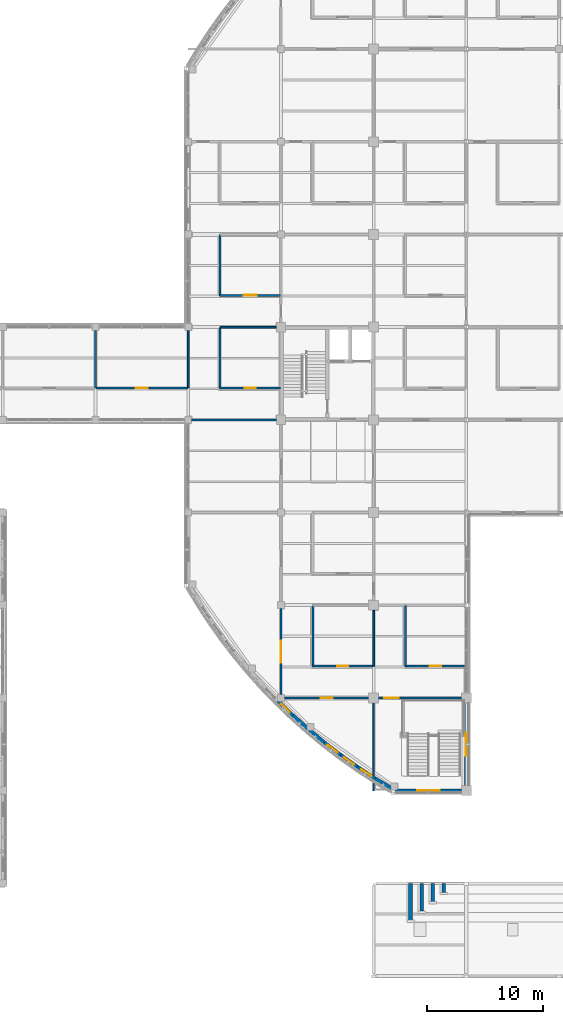
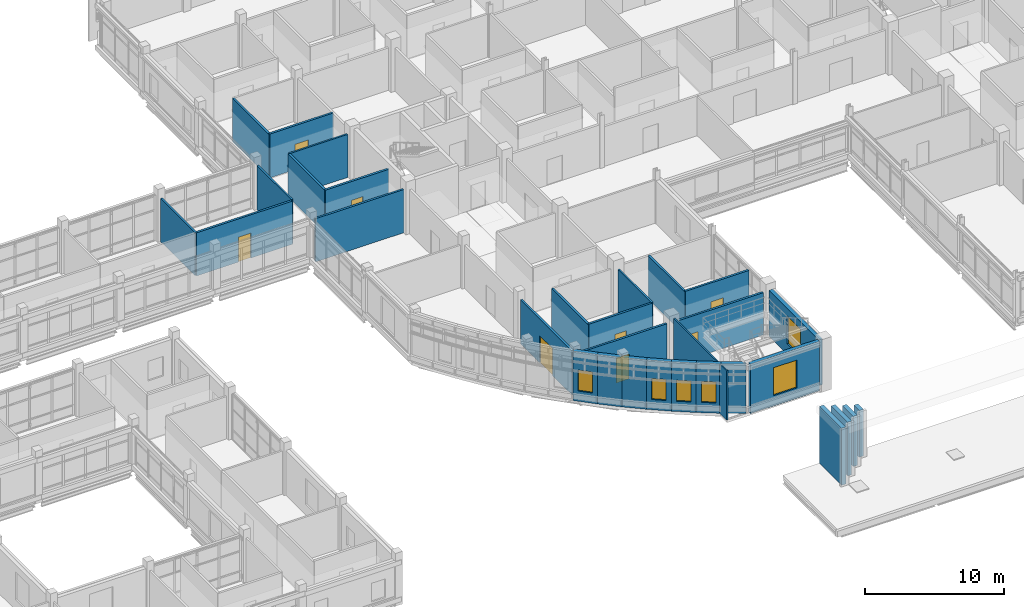
# One storey, part 80 of 121: 31 walls, 8 doors, 6 windows, 14 openings.
"""IFC4 building model written with IfcOpenShell, lengths in metres."""

from ifc_helpers import new_model, si_unit, derived_unit, direction, frame, frame_2d, origin, place, context, subcontext, project, spatial, rectangle, extrude, material, layer, layer_set, type_object, element, fill, save


model = new_model("IFC4")

# Units and contexts
model_context = context("Model", 3, precision=1e-05, world=origin(), true_north=direction((0.0, 1.0)))
body_context = subcontext(model_context, "Body", "Model", "MODEL_VIEW")
ifc_project = project(units=[si_unit("LENGTHUNIT", "METRE"), si_unit("AREAUNIT", "SQUARE_METRE"), si_unit("VOLUMEUNIT", "CUBIC_METRE"), si_unit("PLANEANGLEUNIT", "RADIAN"), si_unit("MASSUNIT", "GRAM", prefix="KILO"), derived_unit("THERMALTRANSMITTANCEUNIT", [(si_unit("MASSUNIT", "GRAM", prefix="KILO"), 1), (si_unit("TIMEUNIT", "SECOND"), -3), (si_unit("THERMODYNAMICTEMPERATUREUNIT", "KELVIN"), -1)])], contexts=[model_context])

# Site, building, storey
site_placement = place(None, origin())
site = spatial("IfcSite", under=ifc_project, at=site_placement, CompositionType="ELEMENT")
building_placement = place(site_placement, origin())
building = spatial("IfcBuilding", under=site, at=building_placement, Name="Veyamyaing Civic Hall", CompositionType="ELEMENT")
storey_placement = place(building_placement, frame((0.0, 0.0, 5.280029296875)))
storey = spatial("IfcBuildingStorey", under=building, at=storey_placement, Name="L01", CompositionType="ELEMENT", Elevation=5.280029296875)

# Wall, opening, window
ifc_material_1 = material(Name="Precast concrete C40/50", Category="concrete")
ifc_layer_1 = layer(ifc_material_1, 0.304931640625, Name="Precast concrete C40/50")
ifc_layer_set_1 = layer_set([ifc_layer_1], Name="Precast concrete C40/50")
wall_type_1 = type_object("IfcWallType", Name="WT-03", PredefinedType="SOLIDWALL", material=ifc_layer_set_1)
wall_1_placement = place(storey_placement, frame((63.735595703125, 23.73974609375, 0.0), z_axis=(0.0, 0.0, 1.0), x_axis=(0.720242191926, -0.693722700342, 0.0)))
wall_1 = element("IfcWall", 1, at=wall_1_placement, inside=storey, type_object=wall_type_1, Name="Curved corner facade wall WT-03 L01 SW.8", PredefinedType="SOLIDWALL", context=body_context, shape_type="SweptSolid", body=[
    extrude(rectangle(XDim=1.795166015625, YDim=0.304931640625, at=frame_2d((0.8974609375, 0.0))), origin(), (0.0, 0.0, 1.0), 4.3349609375),
])
opening_1_placement = place(wall_1_placement, frame((0.37255859375, 0.0, 0.89990234375)))
opening_1 = element("IfcOpeningElement", 2, at=opening_1_placement, cuts=wall_1, Name="Opening W-16", PredefinedType="OPENING", context=body_context, shape_type="SweptSolid", body=[
    extrude(rectangle(XDim=1.050048828125, YDim=1.85009765625, at=frame_2d((0.52490234375, 0.925048828125))), frame((0.0, 0.162353515625, 0.0), z_axis=(0.0, -1.0, 0.0), x_axis=(1.0, 0.0, 0.0)), (0.0, 0.0, 1.0), 0.324951171875),
])
ifc_material_2 = material(Name="Low-E insulated glass", Category="glass")
window_type_1 = type_object("IfcWindowType", Name="W-16", PartitioningType="SINGLE_PANEL", PredefinedType="WINDOW", material=ifc_material_2)
window_1_placement = place(opening_1_placement, origin())
window_1 = element("IfcWindow", 3, at=window_1_placement, inside=storey, type_object=window_type_1, Name="Curved ribbon window W-16 L01 SW.8", OverallHeight=1.85009765625, OverallWidth=1.050048828125, PartitioningType="SINGLE_PANEL", PredefinedType="WINDOW", context=body_context, shape_type="SweptSolid", body=[
    extrude(rectangle(XDim=1.050048828125, YDim=1.85009765625, at=frame_2d((0.52490234375, 0.925048828125))), frame((0.0, 0.030029296875, 0.0), z_axis=(0.0, -1.0, 0.0), x_axis=(1.0, 0.0, 0.0)), (0.0, 0.0, 1.0), 0.06005859375),
])
fill(opening_1, window_1)

# Walls
wall_2_placement = place(storey_placement, frame((65.024169921875, 22.498291015625, 0.0), z_axis=(0.0, 0.0, 1.0), x_axis=(0.745703543965, -0.666277888361, 0.0)))
element("IfcWall", 4, at=wall_2_placement, inside=storey, type_object=wall_type_1, Name="Curved corner facade wall WT-03 L01 SW.9", PredefinedType="SOLIDWALL", context=body_context, shape_type="SweptSolid", body=[
    extrude(rectangle(XDim=1.795166015625, YDim=0.304931640625, at=frame_2d((0.8974609375, 0.0))), origin(), (0.0, 0.0, 1.0), 4.3349609375),
])
wall_3_placement = place(storey_placement, frame((66.3583984375, 21.305908203125, 0.0), z_axis=(0.0, 0.0, 1.0), x_axis=(0.769991012207, -0.638054732073, 0.0)))
element("IfcWall", 5, at=wall_3_placement, inside=storey, type_object=wall_type_1, Name="Curved corner facade wall WT-03 L01 SW.10", PredefinedType="SOLIDWALL", context=body_context, shape_type="SweptSolid", body=[
    extrude(rectangle(XDim=1.794921875, YDim=0.304931640625, at=frame_2d((0.8974609375, 0.0))), origin(), (0.0, 0.0, 1.0), 4.3349609375),
])

# Wall, opening, window
wall_4_placement = place(storey_placement, frame((67.736083984375, 20.164306640625, 0.0), z_axis=(0.0, 0.0, 1.0), x_axis=(0.793341406114, -0.608776981616, 0.0)))
wall_4 = element("IfcWall", 6, at=wall_4_placement, inside=storey, type_object=wall_type_1, Name="Curved corner facade wall WT-03 L01 SW.11", PredefinedType="SOLIDWALL", context=body_context, shape_type="SweptSolid", body=[
    extrude(rectangle(XDim=1.794921875, YDim=0.304931640625, at=frame_2d((0.8974609375, 0.0))), origin(), (0.0, 0.0, 1.0), 4.3349609375),
])
opening_2_placement = place(wall_4_placement, frame((0.37255859375, 0.0, 0.89990234375)))
opening_2 = element("IfcOpeningElement", 7, at=opening_2_placement, cuts=wall_4, Name="Opening W-16", PredefinedType="OPENING", context=body_context, shape_type="SweptSolid", body=[
    extrude(rectangle(XDim=1.050048828125, YDim=1.85009765625, at=frame_2d((0.52490234375, 0.925048828125))), frame((0.0, 0.162353515625, 0.0), z_axis=(0.0, -1.0, 0.0), x_axis=(1.0, 0.0, 0.0)), (0.0, 0.0, 1.0), 0.324951171875),
])
window_2_placement = place(opening_2_placement, origin())
window_2 = element("IfcWindow", 8, at=window_2_placement, inside=storey, type_object=window_type_1, Name="Curved ribbon window W-16 L01 SW.11", OverallHeight=1.85009765625, OverallWidth=1.050048828125, PartitioningType="SINGLE_PANEL", PredefinedType="WINDOW", context=body_context, shape_type="SweptSolid", body=[
    extrude(rectangle(XDim=1.050048828125, YDim=1.85009765625, at=frame_2d((0.52490234375, 0.925048828125))), frame((0.0, 0.030029296875, 0.0), z_axis=(0.0, -1.0, 0.0), x_axis=(1.0, 0.0, 0.0)), (0.0, 0.0, 1.0), 0.06005859375),
])
fill(opening_2, window_2)

wall_5_placement = place(storey_placement, frame((69.155517578125, 19.074951171875, 0.0), z_axis=(0.0, 0.0, 1.0), x_axis=(0.815567185578, -0.578662393636, 0.0)))
wall_5 = element("IfcWall", 9, at=wall_5_placement, inside=storey, type_object=wall_type_1, Name="Curved corner facade wall WT-03 L01 SW.12", PredefinedType="SOLIDWALL", context=body_context, shape_type="SweptSolid", body=[
    extrude(rectangle(XDim=1.795166015625, YDim=0.304931640625, at=frame_2d((0.8974609375, 0.0))), origin(), (0.0, 0.0, 1.0), 4.3349609375),
])
opening_3_placement = place(wall_5_placement, frame((0.37255859375, 0.0, 0.89990234375)))
opening_3 = element("IfcOpeningElement", 10, at=opening_3_placement, cuts=wall_5, Name="Opening W-16", PredefinedType="OPENING", context=body_context, shape_type="SweptSolid", body=[
    extrude(rectangle(XDim=1.050048828125, YDim=1.85009765625, at=frame_2d((0.52490234375, 0.925048828125))), frame((0.0, 0.162353515625, 0.0), z_axis=(0.0, -1.0, 0.0), x_axis=(1.0, 0.0, 0.0)), (0.0, 0.0, 1.0), 0.324951171875),
])
window_3_placement = place(opening_3_placement, origin())
window_3 = element("IfcWindow", 11, at=window_3_placement, inside=storey, type_object=window_type_1, Name="Curved ribbon window W-16 L01 SW.12", OverallHeight=1.85009765625, OverallWidth=1.050048828125, PartitioningType="SINGLE_PANEL", PredefinedType="WINDOW", context=body_context, shape_type="SweptSolid", body=[
    extrude(rectangle(XDim=1.050048828125, YDim=1.85009765625, at=frame_2d((0.52490234375, 0.925048828125))), frame((0.0, 0.030029296875, 0.0), z_axis=(0.0, -1.0, 0.0), x_axis=(1.0, 0.0, 0.0)), (0.0, 0.0, 1.0), 0.06005859375),
])
fill(opening_3, window_3)

wall_6_placement = place(storey_placement, frame((70.61474609375, 18.039306640625, 0.0), z_axis=(0.0, 0.0, 1.0), x_axis=(0.836686786408, -0.547681678944, 0.0)))
wall_6 = element("IfcWall", 12, at=wall_6_placement, inside=storey, type_object=wall_type_1, Name="Curved corner facade wall WT-03 L01 SW.13", PredefinedType="SOLIDWALL", context=body_context, shape_type="SweptSolid", body=[
    extrude(rectangle(XDim=1.795166015625, YDim=0.304931640625, at=frame_2d((0.8974609375, 0.0))), origin(), (0.0, 0.0, 1.0), 4.3349609375),
])
opening_4_placement = place(wall_6_placement, frame((0.37255859375, 0.0, 0.89990234375)))
opening_4 = element("IfcOpeningElement", 13, at=opening_4_placement, cuts=wall_6, Name="Opening W-16", PredefinedType="OPENING", context=body_context, shape_type="SweptSolid", body=[
    extrude(rectangle(XDim=1.050048828125, YDim=1.85009765625, at=frame_2d((0.52490234375, 0.925048828125))), frame((0.0, 0.162353515625, 0.0), z_axis=(0.0, -1.0, 0.0), x_axis=(1.0, 0.0, 0.0)), (0.0, 0.0, 1.0), 0.324951171875),
])
window_4_placement = place(opening_4_placement, origin())
window_4 = element("IfcWindow", 14, at=window_4_placement, inside=storey, type_object=window_type_1, Name="Curved ribbon window W-16 L01 SW.13", OverallHeight=1.85009765625, OverallWidth=1.050048828125, PartitioningType="SINGLE_PANEL", PredefinedType="WINDOW", context=body_context, shape_type="SweptSolid", body=[
    extrude(rectangle(XDim=1.050048828125, YDim=1.85009765625, at=frame_2d((0.52490234375, 0.925048828125))), frame((0.0, 0.030029296875, 0.0), z_axis=(0.0, -1.0, 0.0), x_axis=(1.0, 0.0, 0.0)), (0.0, 0.0, 1.0), 0.06005859375),
])
fill(opening_4, window_4)

# Wall
wall_7_placement = place(storey_placement, frame((72.11181640625, 17.05908203125, 0.0), z_axis=(0.0, 0.0, 1.0), x_axis=(0.856543302071, -0.51607516088, 0.0)))
element("IfcWall", 15, at=wall_7_placement, inside=storey, type_object=wall_type_1, Name="Curved corner facade wall WT-03 L01 SW.14", PredefinedType="SOLIDWALL", context=body_context, shape_type="SweptSolid", body=[
    extrude(rectangle(XDim=1.794921875, YDim=0.304931640625, at=frame_2d((0.8974609375, 0.0))), origin(), (0.0, 0.0, 1.0), 4.3349609375),
])

# Wall, opening, window
wall_8_placement = place(storey_placement, frame((73.854248046875, 16.0, 0.0), z_axis=(0.0, 0.0, 1.0), x_axis=(1.0, 0.0, 0.0)))
wall_8 = element("IfcWall", 16, at=wall_8_placement, inside=storey, type_object=wall_type_1, Name="Exterior facade wall WT-03 L01 S 10.3", PredefinedType="SOLIDWALL", context=body_context, shape_type="SweptSolid", body=[
    extrude(rectangle(XDim=5.73583984375, YDim=0.304931640625, at=frame_2d((2.867919921875, 0.0))), origin(), (0.0, 0.0, 1.0), 4.3349609375),
])
opening_5_placement = place(wall_8_placement, frame((1.892822265625, 0.0, 0.89990234375)))
opening_5 = element("IfcOpeningElement", 17, at=opening_5_placement, cuts=wall_8, Name="Opening W-26", PredefinedType="OPENING", context=body_context, shape_type="SweptSolid", body=[
    extrude(rectangle(XDim=1.949951171875, YDim=2.449951171875, at=frame_2d((0.97509765625, 1.22509765625))), frame((0.0, 0.162353515625, 0.0), z_axis=(0.0, -1.0, 0.0), x_axis=(1.0, 0.0, 0.0)), (0.0, 0.0, 1.0), 0.324951171875),
])
window_type_2 = type_object("IfcWindowType", Name="W-26", PartitioningType="SINGLE_PANEL", PredefinedType="WINDOW", material=ifc_material_2)
window_5_placement = place(opening_5_placement, origin())
window_5 = element("IfcWindow", 18, at=window_5_placement, inside=storey, type_object=window_type_2, Name="Facade window W-26 L01 S 10.3", OverallHeight=2.449951171875, OverallWidth=1.949951171875, PartitioningType="SINGLE_PANEL", PredefinedType="WINDOW", context=body_context, shape_type="SweptSolid", body=[
    extrude(rectangle(XDim=1.949951171875, YDim=2.449951171875, at=frame_2d((0.97509765625, 1.22509765625))), frame((0.0, 0.030029296875, 0.0), z_axis=(0.0, -1.0, 0.0), x_axis=(1.0, 0.0, 0.0)), (0.0, 0.0, 1.0), 0.06005859375),
])
fill(opening_5, window_5)

wall_9_placement = place(storey_placement, frame((80.0, 16.409912109375, 0.0), z_axis=(0.0, 0.0, 1.0), x_axis=(0.0, 1.0, 0.0)))
wall_9 = element("IfcWall", 19, at=wall_9_placement, inside=storey, type_object=wall_type_1, Name="Exterior facade wall WT-03 L01 E 10.3", PredefinedType="SOLIDWALL", context=body_context, shape_type="SweptSolid", body=[
    extrude(rectangle(XDim=7.18017578125, YDim=0.304931640625, at=frame_2d((3.590087890625, 0.0))), origin(), (0.0, 0.0, 1.0), 4.01904296875),
])
opening_6_placement = place(wall_9_placement, frame((2.614990234375, 0.0, 0.89990234375)))
opening_6 = element("IfcOpeningElement", 20, at=opening_6_placement, cuts=wall_9, Name="Opening W-26", PredefinedType="OPENING", context=body_context, shape_type="SweptSolid", body=[
    extrude(rectangle(XDim=1.949951171875, YDim=2.449951171875, at=frame_2d((0.97509765625, 1.22509765625))), frame((0.0, 0.162353515625, 0.0), z_axis=(0.0, -1.0, 0.0), x_axis=(1.0, 0.0, 0.0)), (0.0, 0.0, 1.0), 0.324951171875),
])
window_6_placement = place(opening_6_placement, origin())
window_6 = element("IfcWindow", 21, at=window_6_placement, inside=storey, type_object=window_type_2, Name="Facade window W-26 L01 E 10.3", OverallHeight=2.449951171875, OverallWidth=1.949951171875, PartitioningType="SINGLE_PANEL", PredefinedType="WINDOW", context=body_context, shape_type="SweptSolid", body=[
    extrude(rectangle(XDim=1.949951171875, YDim=2.449951171875, at=frame_2d((0.97509765625, 1.22509765625))), frame((0.0, 0.030029296875, 0.0), z_axis=(0.0, -1.0, 0.0), x_axis=(1.0, 0.0, 0.0)), (0.0, 0.0, 1.0), 0.06005859375),
])
fill(opening_6, window_6)

# Wall, opening, door
ifc_material_3 = material(Name="Gypsum board on acoustic steel stud", Category="steel")
ifc_layer_2 = layer(ifc_material_3, 0.175048828125, Name="Gypsum board on acoustic steel stud")
ifc_layer_set_2 = layer_set([ifc_layer_2], Name="Gypsum board on acoustic steel stud")
wall_type_2 = type_object("IfcWallType", Name="WT-07", PredefinedType="PARTITIONING", material=ifc_layer_set_2)
wall_10_placement = place(storey_placement, frame((48.02001953125, 50.75, 0.0), z_axis=(0.0, 0.0, 1.0), x_axis=(1.0, 0.0, 0.0)))
wall_10 = element("IfcWall", 22, at=wall_10_placement, inside=storey, type_object=wall_type_2, Name="Corridor gallery partition WT-07 L01.33.1", PredefinedType="PARTITIONING", context=body_context, shape_type="SweptSolid", body=[
    extrude(rectangle(XDim=7.9599609375, YDim=0.175048828125, at=frame_2d((3.97998046875, 0.0))), origin(), (0.0, 0.0, 1.0), 3.786865234375),
])
opening_7_placement = place(wall_10_placement, frame((3.4599609375, 0.0, 0.0)))
opening_7 = element("IfcOpeningElement", 23, at=opening_7_placement, cuts=wall_10, Name="Opening D-24", PredefinedType="OPENING", context=body_context, shape_type="SweptSolid", body=[
    extrude(rectangle(XDim=1.0400390625, YDim=2.179931640625, at=frame_2d((0.52001953125, 1.08984375))), frame((0.0, 0.097412109375, 0.0), z_axis=(0.0, -1.0, 0.0), x_axis=(1.0, 0.0, 0.0)), (0.0, 0.0, 1.0), 0.195068359375),
])
ifc_material_4 = material(Name="Teak-veneered acoustic timber", Category="wood")
door_type_1 = type_object("IfcDoorType", Name="D-24", OperationType="NOTDEFINED", PredefinedType="DOOR", material=ifc_material_4)
door_1_placement = place(opening_7_placement, origin())
door_1 = element("IfcDoor", 24, at=door_1_placement, inside=storey, type_object=door_type_1, Name="Gallery office door D-24 L01.33", OperationType="SINGLE_SWING_LEFT", OverallHeight=2.179931640625, OverallWidth=1.0400390625, PredefinedType="DOOR", context=body_context, shape_type="SweptSolid", body=[
    extrude(rectangle(XDim=1.0400390625, YDim=2.179931640625, at=frame_2d((0.52001953125, 1.08984375))), frame((0.0, 0.02490234375, 0.0), z_axis=(0.0, -1.0, 0.0), x_axis=(1.0, 0.0, 0.0)), (0.0, 0.0, 1.0), 0.050048828125),
])
fill(opening_7, door_1)

wall_11_placement = place(storey_placement, frame((58.699951171875, 58.75, 0.0), z_axis=(0.0, 0.0, 1.0), x_axis=(1.0, 0.0, 0.0)))
wall_11 = element("IfcWall", 25, at=wall_11_placement, inside=storey, type_object=wall_type_2, Name="Corridor gallery partition WT-07 L01.35.1", PredefinedType="PARTITIONING", context=body_context, shape_type="SweptSolid", body=[
    extrude(rectangle(XDim=5.280029296875, YDim=0.175048828125, at=frame_2d((2.64013671875, 0.0))), origin(), (0.0, 0.0, 1.0), 3.85107421875),
])
opening_8_placement = place(wall_11_placement, frame((2.080078125, 0.0, 0.0)))
opening_8 = element("IfcOpeningElement", 26, at=opening_8_placement, cuts=wall_11, Name="Opening D-26", PredefinedType="OPENING", context=body_context, shape_type="SweptSolid", body=[
    extrude(rectangle(XDim=1.1201171875, YDim=2.219970703125, at=frame_2d((0.56005859375, 1.10986328125))), frame((0.0, 0.097412109375, 0.0), z_axis=(0.0, -1.0, 0.0), x_axis=(1.0, 0.0, 0.0)), (0.0, 0.0, 1.0), 0.195068359375),
])
door_type_2 = type_object("IfcDoorType", Name="D-26", OperationType="NOTDEFINED", PredefinedType="DOOR", material=ifc_material_4)
door_2_placement = place(opening_8_placement, origin())
door_2 = element("IfcDoor", 27, at=door_2_placement, inside=storey, type_object=door_type_2, Name="Gallery office door D-26 L01.35", OperationType="SINGLE_SWING_LEFT", OverallHeight=2.219970703125, OverallWidth=1.1201171875, PredefinedType="DOOR", context=body_context, shape_type="SweptSolid", body=[
    extrude(rectangle(XDim=1.1201171875, YDim=2.219970703125, at=frame_2d((0.56005859375, 1.10986328125))), frame((0.0, 0.02490234375, 0.0), z_axis=(0.0, -1.0, 0.0), x_axis=(1.0, 0.0, 0.0)), (0.0, 0.0, 1.0), 0.050048828125),
])
fill(opening_8, door_2)

# Wall
wall_12_placement = place(storey_placement, frame((58.75, 58.699951171875, 0.0), z_axis=(0.0, 0.0, 1.0), x_axis=(0.0, 1.0, 0.0)))
element("IfcWall", 28, at=wall_12_placement, inside=storey, type_object=wall_type_2, Name="Corridor gallery partition WT-07 L01.35.2", PredefinedType="PARTITIONING", context=body_context, shape_type="SweptSolid", body=[
    extrude(rectangle(XDim=5.280029296875, YDim=0.175048828125, at=frame_2d((2.64013671875, 0.0))), origin(), (0.0, 0.0, 1.0), 3.781005859375),
])

# Wall, opening, door
wall_13_placement = place(storey_placement, frame((66.699951171875, 26.75, 0.0), z_axis=(0.0, 0.0, 1.0), x_axis=(1.0, 0.0, 0.0)))
wall_13 = element("IfcWall", 29, at=wall_13_placement, inside=storey, type_object=wall_type_2, Name="Corridor gallery partition WT-07 L01.37.1", PredefinedType="PARTITIONING", context=body_context, shape_type="SweptSolid", body=[
    extrude(rectangle(XDim=5.280029296875, YDim=0.175048828125, at=frame_2d((2.64013671875, 0.0))), origin(), (0.0, 0.0, 1.0), 3.786865234375),
])
opening_9_placement = place(wall_13_placement, frame((2.169921875, 0.0, 0.0)))
opening_9 = element("IfcOpeningElement", 30, at=opening_9_placement, cuts=wall_13, Name="Opening D-30", PredefinedType="OPENING", context=body_context, shape_type="SweptSolid", body=[
    extrude(rectangle(XDim=0.93994140625, YDim=2.1201171875, at=frame_2d((0.469970703125, 1.06005859375))), frame((0.0, 0.097412109375, 0.0), z_axis=(0.0, -1.0, 0.0), x_axis=(1.0, 0.0, 0.0)), (0.0, 0.0, 1.0), 0.195068359375),
])
door_type_3 = type_object("IfcDoorType", Name="D-30", OperationType="NOTDEFINED", PredefinedType="DOOR", material=ifc_material_4)
door_3_placement = place(opening_9_placement, origin())
door_3 = element("IfcDoor", 31, at=door_3_placement, inside=storey, type_object=door_type_3, Name="Gallery office door D-30 L01.37", OperationType="SINGLE_SWING_LEFT", OverallHeight=2.1201171875, OverallWidth=0.93994140625, PredefinedType="DOOR", context=body_context, shape_type="SweptSolid", body=[
    extrude(rectangle(XDim=0.93994140625, YDim=2.1201171875, at=frame_2d((0.469970703125, 1.06005859375))), frame((0.0, 0.02490234375, 0.0), z_axis=(0.0, -1.0, 0.0), x_axis=(1.0, 0.0, 0.0)), (0.0, 0.0, 1.0), 0.050048828125),
])
fill(opening_9, door_3)

# Wall
wall_14_placement = place(storey_placement, frame((66.75, 26.699951171875, 0.0), z_axis=(0.0, 0.0, 1.0), x_axis=(0.0, 1.0, 0.0)))
element("IfcWall", 32, at=wall_14_placement, inside=storey, type_object=wall_type_2, Name="Corridor gallery partition WT-07 L01.37.2", PredefinedType="PARTITIONING", context=body_context, shape_type="SweptSolid", body=[
    extrude(rectangle(XDim=5.280029296875, YDim=0.175048828125, at=frame_2d((2.64013671875, 0.0))), origin(), (0.0, 0.0, 1.0), 3.7119140625),
])

# Wall, opening, door
wall_15_placement = place(storey_placement, frame((74.699951171875, 26.75, 0.0), z_axis=(0.0, 0.0, 1.0), x_axis=(1.0, 0.0, 0.0)))
wall_15 = element("IfcWall", 33, at=wall_15_placement, inside=storey, type_object=wall_type_2, Name="Corridor gallery partition WT-07 L01.41.1", PredefinedType="PARTITIONING", context=body_context, shape_type="SweptSolid", body=[
    extrude(rectangle(XDim=5.280029296875, YDim=0.175048828125, at=frame_2d((2.64013671875, 0.0))), origin(), (0.0, 0.0, 1.0), 3.85693359375),
])
opening_10_placement = place(wall_15_placement, frame((2.1298828125, 0.0, 0.0)))
opening_10 = element("IfcOpeningElement", 34, at=opening_10_placement, cuts=wall_15, Name="Opening D-19", PredefinedType="OPENING", context=body_context, shape_type="SweptSolid", body=[
    extrude(rectangle(XDim=1.02001953125, YDim=2.199951171875, at=frame_2d((0.510009765625, 1.10009765625))), frame((0.0, 0.097412109375, 0.0), z_axis=(0.0, -1.0, 0.0), x_axis=(1.0, 0.0, 0.0)), (0.0, 0.0, 1.0), 0.195068359375),
])
door_type_4 = type_object("IfcDoorType", Name="D-19", OperationType="NOTDEFINED", PredefinedType="DOOR", material=ifc_material_4)
door_4_placement = place(opening_10_placement, origin())
door_4 = element("IfcDoor", 35, at=door_4_placement, inside=storey, type_object=door_type_4, Name="Gallery office door D-19 L01.41", OperationType="SINGLE_SWING_LEFT", OverallHeight=2.199951171875, OverallWidth=1.02001953125, PredefinedType="DOOR", context=body_context, shape_type="SweptSolid", body=[
    extrude(rectangle(XDim=1.02001953125, YDim=2.199951171875, at=frame_2d((0.510009765625, 1.10009765625))), frame((0.0, 0.02490234375, 0.0), z_axis=(0.0, -1.0, 0.0), x_axis=(1.0, 0.0, 0.0)), (0.0, 0.0, 1.0), 0.050048828125),
])
fill(opening_10, door_4)

# Wall
wall_16_placement = place(storey_placement, frame((74.75, 26.699951171875, 0.0), z_axis=(0.0, 0.0, 1.0), x_axis=(0.0, 1.0, 0.0)))
element("IfcWall", 36, at=wall_16_placement, inside=storey, type_object=wall_type_2, Name="Corridor gallery partition WT-07 L01.41.2", PredefinedType="PARTITIONING", context=body_context, shape_type="SweptSolid", body=[
    extrude(rectangle(XDim=5.280029296875, YDim=0.175048828125, at=frame_2d((2.64013671875, 0.0))), origin(), (0.0, 0.0, 1.0), 3.786865234375),
])

# Wall, opening, door
wall_17_placement = place(storey_placement, frame((64.0, 24.2900390625, 0.0), z_axis=(0.0, 0.0, 1.0), x_axis=(0.0, 1.0, 0.0)))
wall_17 = element("IfcWall", 37, at=wall_17_placement, inside=storey, type_object=wall_type_2, Name="Interior partition wall WT-07 L01.23", PredefinedType="PARTITIONING", context=body_context, shape_type="SweptSolid", body=[
    extrude(rectangle(XDim=7.419921875, YDim=0.175048828125, at=frame_2d((3.7099609375, 0.0))), origin(), (0.0, 0.0, 1.0), 3.85107421875),
])
opening_11_placement = place(wall_17_placement, frame((2.760009765625, 0.0, 0.0)))
opening_11 = element("IfcOpeningElement", 38, at=opening_11_placement, cuts=wall_17, Name="Opening D-31", PredefinedType="OPENING", context=body_context, shape_type="SweptSolid", body=[
    extrude(rectangle(XDim=1.89990234375, YDim=2.3798828125, at=frame_2d((0.949951171875, 1.18994140625))), frame((0.0, 0.097412109375, 0.0), z_axis=(0.0, -1.0, 0.0), x_axis=(1.0, 0.0, 0.0)), (0.0, 0.0, 1.0), 0.195068359375),
])
door_type_5 = type_object("IfcDoorType", Name="D-31", OperationType="DOUBLE_DOOR_SINGLE_SWING", PredefinedType="DOOR", material=ifc_material_4)
door_5_placement = place(opening_11_placement, origin())
door_5 = element("IfcDoor", 39, at=door_5_placement, inside=storey, type_object=door_type_5, Name="Interior door D-31 L01.23", OperationType="DOUBLE_DOOR_SINGLE_SWING", OverallHeight=2.3798828125, OverallWidth=1.89990234375, PredefinedType="DOOR", context=body_context, shape_type="SweptSolid", body=[
    extrude(rectangle(XDim=1.89990234375, YDim=2.3798828125, at=frame_2d((0.949951171875, 1.18994140625))), frame((0.0, 0.02490234375, 0.0), z_axis=(0.0, -1.0, 0.0), x_axis=(1.0, 0.0, 0.0)), (0.0, 0.0, 1.0), 0.050048828125),
])
fill(opening_11, door_5)

# Wall
wall_18_placement = place(storey_placement, frame((56.2900390625, 48.0, 0.0), z_axis=(0.0, 0.0, 1.0), x_axis=(1.0, 0.0, 0.0)))
element("IfcWall", 40, at=wall_18_placement, inside=storey, type_object=wall_type_2, Name="Interior partition wall WT-07 L01.27", PredefinedType="PARTITIONING", context=body_context, shape_type="SweptSolid", body=[
    extrude(rectangle(XDim=7.320068359375, YDim=0.175048828125, at=frame_2d((3.66015625, 0.0))), origin(), (0.0, 0.0, 1.0), 3.786865234375),
])

# Wall, opening, door
wall_19_placement = place(storey_placement, frame((64.2900390625, 24.0, 0.0), z_axis=(0.0, 0.0, 1.0), x_axis=(1.0, 0.0, 0.0)))
wall_19 = element("IfcWall", 41, at=wall_19_placement, inside=storey, type_object=wall_type_2, Name="Interior partition wall WT-07 L01.33", PredefinedType="PARTITIONING", context=body_context, shape_type="SweptSolid", body=[
    extrude(rectangle(XDim=7.294921875, YDim=0.175048828125, at=frame_2d((3.6474609375, 0.0))), origin(), (0.0, 0.0, 1.0), 3.781005859375),
])
opening_12_placement = place(wall_19_placement, frame((3.12744140625, 0.0, 0.0)))
opening_12 = element("IfcOpeningElement", 42, at=opening_12_placement, cuts=wall_19, Name="Opening D-24", PredefinedType="OPENING", context=body_context, shape_type="SweptSolid", body=[
    extrude(rectangle(XDim=1.0400390625, YDim=2.179931640625, at=frame_2d((0.52001953125, 1.08984375))), frame((0.0, 0.097412109375, 0.0), z_axis=(0.0, -1.0, 0.0), x_axis=(1.0, 0.0, 0.0)), (0.0, 0.0, 1.0), 0.195068359375),
])
door_6_placement = place(opening_12_placement, frame((1.0400390625, 0.0, 0.0), z_axis=(0.0, 0.0, 1.0), x_axis=(-1.0, 0.0, 0.0)))
door_6 = element("IfcDoor", 43, at=door_6_placement, inside=storey, type_object=door_type_1, Name="Interior door D-24 L01.33", OperationType="SINGLE_SWING_RIGHT", OverallHeight=2.179931640625, OverallWidth=1.0400390625, PredefinedType="DOOR", context=body_context, shape_type="SweptSolid", body=[
    extrude(rectangle(XDim=1.0400390625, YDim=2.179931640625, at=frame_2d((0.52001953125, 1.08984375))), frame((0.0, 0.02490234375, 0.0), z_axis=(0.0, -1.0, 0.0), x_axis=(1.0, 0.0, 0.0)), (0.0, 0.0, 1.0), 0.050048828125),
])
fill(opening_12, door_6)

wall_20_placement = place(storey_placement, frame((72.4150390625, 24.0, 0.0), z_axis=(0.0, 0.0, 1.0), x_axis=(1.0, 0.0, 0.0)))
wall_20 = element("IfcWall", 44, at=wall_20_placement, inside=storey, type_object=wall_type_2, Name="Interior partition wall WT-07 L01.43", PredefinedType="PARTITIONING", context=body_context, shape_type="SweptSolid", body=[
    extrude(rectangle(XDim=7.169921875, YDim=0.175048828125, at=frame_2d((3.5849609375, 0.0))), origin(), (0.0, 0.0, 1.0), 3.7119140625),
])
opening_13_placement = place(wall_20_placement, frame((0.5, 0.0, 0.0)))
opening_13 = element("IfcOpeningElement", 45, at=opening_13_placement, cuts=wall_20, Name="Opening D-29", PredefinedType="OPENING", context=body_context, shape_type="SweptSolid", body=[
    extrude(rectangle(XDim=1.25, YDim=2.179931640625, at=frame_2d((0.625, 1.08984375))), frame((0.0, 0.097412109375, 0.0), z_axis=(0.0, -1.0, 0.0), x_axis=(1.0, 0.0, 0.0)), (0.0, 0.0, 1.0), 0.195068359375),
])
door_type_6 = type_object("IfcDoorType", Name="D-29", OperationType="NOTDEFINED", PredefinedType="DOOR", material=ifc_material_4)
door_7_placement = place(opening_13_placement, origin())
door_7 = element("IfcDoor", 46, at=door_7_placement, inside=storey, type_object=door_type_6, Name="Interior door D-29 L01.43", OperationType="SINGLE_SWING_RIGHT", OverallHeight=2.179931640625, OverallWidth=1.25, PredefinedType="DOOR", context=body_context, shape_type="SweptSolid", body=[
    extrude(rectangle(XDim=1.25, YDim=2.179931640625, at=frame_2d((0.625, 1.08984375))), frame((0.0, 0.02490234375, 0.0), z_axis=(0.0, -1.0, 0.0), x_axis=(1.0, 0.0, 0.0)), (0.0, 0.0, 1.0), 0.050048828125),
])
fill(opening_13, door_7)

# Walls
ifc_material_5 = material(Name="Gypsum board on steel stud", Category="steel")
ifc_layer_3 = layer(ifc_material_5, 0.14990234375, Name="Gypsum board on steel stud")
ifc_layer_set_3 = layer_set([ifc_layer_3], Name="Gypsum board on steel stud")
wall_type_3 = type_object("IfcWallType", Name="WT-08", PredefinedType="PARTITIONING", material=ifc_layer_set_3)
wall_21_placement = place(storey_placement, frame((48.0, 50.75, 0.0), z_axis=(0.0, 0.0, 1.0), x_axis=(0.0, 1.0, 0.0)))
element("IfcWall", 47, at=wall_21_placement, inside=storey, type_object=wall_type_3, Name="Gallery office end partition WT-08 L01.31.2", PredefinedType="PARTITIONING", context=body_context, shape_type="SweptSolid", body=[
    extrude(rectangle(XDim=4.93994140625, YDim=0.14990234375, at=frame_2d((2.469970703125, 0.0))), origin(), (0.0, 0.0, 1.0), 3.786865234375),
])
wall_22_placement = place(storey_placement, frame((56.0, 50.75, 0.0), z_axis=(0.0, 0.0, 1.0), x_axis=(0.0, 1.0, 0.0)))
element("IfcWall", 48, at=wall_22_placement, inside=storey, type_object=wall_type_3, Name="Gallery office end partition WT-08 L01.33.2", PredefinedType="PARTITIONING", context=body_context, shape_type="SweptSolid", body=[
    extrude(rectangle(XDim=4.93994140625, YDim=0.14990234375, at=frame_2d((2.469970703125, 0.0))), origin(), (0.0, 0.0, 1.0), 3.85693359375),
])
wall_23_placement = place(storey_placement, frame((58.75, 56.0, 0.0), z_axis=(0.0, 0.0, 1.0), x_axis=(1.0, 0.0, 0.0)))
element("IfcWall", 49, at=wall_23_placement, inside=storey, type_object=wall_type_3, Name="Gallery office end partition WT-08 L01.34.1", PredefinedType="PARTITIONING", context=body_context, shape_type="SweptSolid", body=[
    extrude(rectangle(XDim=4.840087890625, YDim=0.14990234375, at=frame_2d((2.419921875, 0.0))), origin(), (0.0, 0.0, 1.0), 3.77099609375),
])
wall_24_placement = place(storey_placement, frame((72.0, 26.75, 0.0), z_axis=(0.0, 0.0, 1.0), x_axis=(0.0, 1.0, 0.0)))
element("IfcWall", 50, at=wall_24_placement, inside=storey, type_object=wall_type_3, Name="Gallery office end partition WT-08 L01.37.2", PredefinedType="PARTITIONING", context=body_context, shape_type="SweptSolid", body=[
    extrude(rectangle(XDim=4.81494140625, YDim=0.14990234375, at=frame_2d((2.407470703125, 0.0))), origin(), (0.0, 0.0, 1.0), 3.786865234375),
])
ifc_layer_4 = layer(ifc_material_5, 0.1201171875, Name="Gypsum board on steel stud")
ifc_layer_set_4 = layer_set([ifc_layer_4], Name="Gypsum board on steel stud")
wall_type_4 = type_object("IfcWallType", Name="WT-16", PredefinedType="PARTITIONING", material=ifc_layer_set_4)
wall_25_placement = place(storey_placement, frame((72.0, 16.0, 0.0), z_axis=(0.0, 0.0, 1.0), x_axis=(0.0, 1.0, 0.0)))
element("IfcWall", 51, at=wall_25_placement, inside=storey, type_object=wall_type_4, Name="Interior partition wall WT-16 L01.32", PredefinedType="PARTITIONING", context=body_context, shape_type="SweptSolid", body=[
    extrude(rectangle(XDim=7.5849609375, YDim=0.1201171875, at=frame_2d((3.79248046875, 0.0))), origin(), (0.0, 0.0, 1.0), 4.324951171875),
])
ifc_layer_5 = layer(ifc_material_1, 0.340087890625, Name="Precast concrete C40/50")
ifc_layer_set_5 = layer_set([ifc_layer_5], Name="Precast concrete C40/50")
wall_type_5 = type_object("IfcWallType", Name="WT-17", PredefinedType="SOLIDWALL", material=ifc_layer_set_5)
wall_26_placement = place(storey_placement, frame((75.199951171875, 4.800048828125, 0.0), z_axis=(0.0, 0.0, 1.0), x_axis=(0.0, 1.0, 0.0)))
element("IfcWall", 52, at=wall_26_placement, inside=storey, type_object=wall_type_5, Name="Carved South Portal Frame Step 1 L L01", PredefinedType="SOLIDWALL", context=body_context, shape_type="SweptSolid", body=[
    extrude(rectangle(XDim=3.179931640625, YDim=0.340087890625, at=frame_2d((1.58984375, 0.0))), origin(), (0.0, 0.0, 1.0), 5.0),
])
wall_27_placement = place(storey_placement, frame((76.14990234375, 5.60009765625, 0.0), z_axis=(0.0, 0.0, 1.0), x_axis=(0.0, 1.0, 0.0)))
element("IfcWall", 53, at=wall_27_placement, inside=storey, type_object=wall_type_5, Name="Carved South Portal Frame Step 2 L L01", PredefinedType="SOLIDWALL", context=body_context, shape_type="SweptSolid", body=[
    extrude(rectangle(XDim=2.3798828125, YDim=0.340087890625, at=frame_2d((1.18994140625, 0.0))), origin(), (0.0, 0.0, 1.0), 4.699951171875),
])
wall_28_placement = place(storey_placement, frame((77.10009765625, 6.39990234375, 0.0), z_axis=(0.0, 0.0, 1.0), x_axis=(0.0, 1.0, 0.0)))
element("IfcWall", 54, at=wall_28_placement, inside=storey, type_object=wall_type_5, Name="Carved South Portal Frame Step 3 L L01", PredefinedType="SOLIDWALL", context=body_context, shape_type="SweptSolid", body=[
    extrude(rectangle(XDim=1.580078125, YDim=0.340087890625, at=frame_2d((0.7900390625, 0.0))), origin(), (0.0, 0.0, 1.0), 4.39990234375),
])
wall_29_placement = place(storey_placement, frame((78.050048828125, 7.199951171875, 0.0), z_axis=(0.0, 0.0, 1.0), x_axis=(0.0, 1.0, 0.0)))
element("IfcWall", 55, at=wall_29_placement, inside=storey, type_object=wall_type_5, Name="Carved South Portal Frame Step 4 L L01", PredefinedType="SOLIDWALL", context=body_context, shape_type="SweptSolid", body=[
    extrude(rectangle(XDim=0.780029296875, YDim=0.340087890625, at=frame_2d((0.39013671875, 0.0))), origin(), (0.0, 0.0, 1.0), 4.099853515625),
])

# Wall, opening, door
ifc_material_6 = material(Name="Gypsum board on double acoustic stud")
ifc_layer_6 = layer(ifc_material_6, 0.18505859375, Name="Gypsum board on double acoustic stud")
ifc_layer_set_6 = layer_set([ifc_layer_6], Name="Gypsum board on double acoustic stud")
wall_type_6 = type_object("IfcWallType", Name="WT-19", PredefinedType="PARTITIONING", material=ifc_layer_set_6)
wall_30_placement = place(storey_placement, frame((58.699951171875, 50.75, 0.0), z_axis=(0.0, 0.0, 1.0), x_axis=(1.0, 0.0, 0.0)))
wall_30 = element("IfcWall", 56, at=wall_30_placement, inside=storey, type_object=wall_type_6, Name="Corridor gallery partition WT-19 L01.34.1", PredefinedType="PARTITIONING", context=body_context, shape_type="SweptSolid", body=[
    extrude(rectangle(XDim=5.280029296875, YDim=0.18505859375, at=frame_2d((2.64013671875, 0.0))), origin(), (0.0, 0.0, 1.0), 3.781005859375),
])
opening_14_placement = place(wall_30_placement, frame((2.159912109375, 0.0, 0.0)))
opening_14 = element("IfcOpeningElement", 57, at=opening_14_placement, cuts=wall_30, Name="Opening D-25", PredefinedType="OPENING", context=body_context, shape_type="SweptSolid", body=[
    extrude(rectangle(XDim=0.9599609375, YDim=2.139892578125, at=frame_2d((0.47998046875, 1.06982421875))), frame((0.0, 0.1025390625, 0.0), z_axis=(0.0, -1.0, 0.0), x_axis=(1.0, 0.0, 0.0)), (0.0, 0.0, 1.0), 0.205078125),
])
door_type_7 = type_object("IfcDoorType", Name="D-25", OperationType="NOTDEFINED", PredefinedType="DOOR", material=ifc_material_4)
door_8_placement = place(opening_14_placement, origin())
door_8 = element("IfcDoor", 58, at=door_8_placement, inside=storey, type_object=door_type_7, Name="Gallery office door D-25 L01.34", OperationType="SINGLE_SWING_RIGHT", OverallHeight=2.139892578125, OverallWidth=0.9599609375, PredefinedType="DOOR", context=body_context, shape_type="SweptSolid", body=[
    extrude(rectangle(XDim=0.9599609375, YDim=2.139892578125, at=frame_2d((0.47998046875, 1.06982421875))), frame((0.0, 0.02490234375, 0.0), z_axis=(0.0, -1.0, 0.0), x_axis=(1.0, 0.0, 0.0)), (0.0, 0.0, 1.0), 0.050048828125),
])
fill(opening_14, door_8)

# Wall
wall_31_placement = place(storey_placement, frame((58.75, 50.699951171875, 0.0), z_axis=(0.0, 0.0, 1.0), x_axis=(0.0, 1.0, 0.0)))
element("IfcWall", 59, at=wall_31_placement, inside=storey, type_object=wall_type_6, Name="Corridor gallery partition WT-19 L01.34.2", PredefinedType="PARTITIONING", context=body_context, shape_type="SweptSolid", body=[
    extrude(rectangle(XDim=5.280029296875, YDim=0.18505859375, at=frame_2d((2.64013671875, 0.0))), origin(), (0.0, 0.0, 1.0), 3.77099609375),
])

save(model, "model.ifc")
